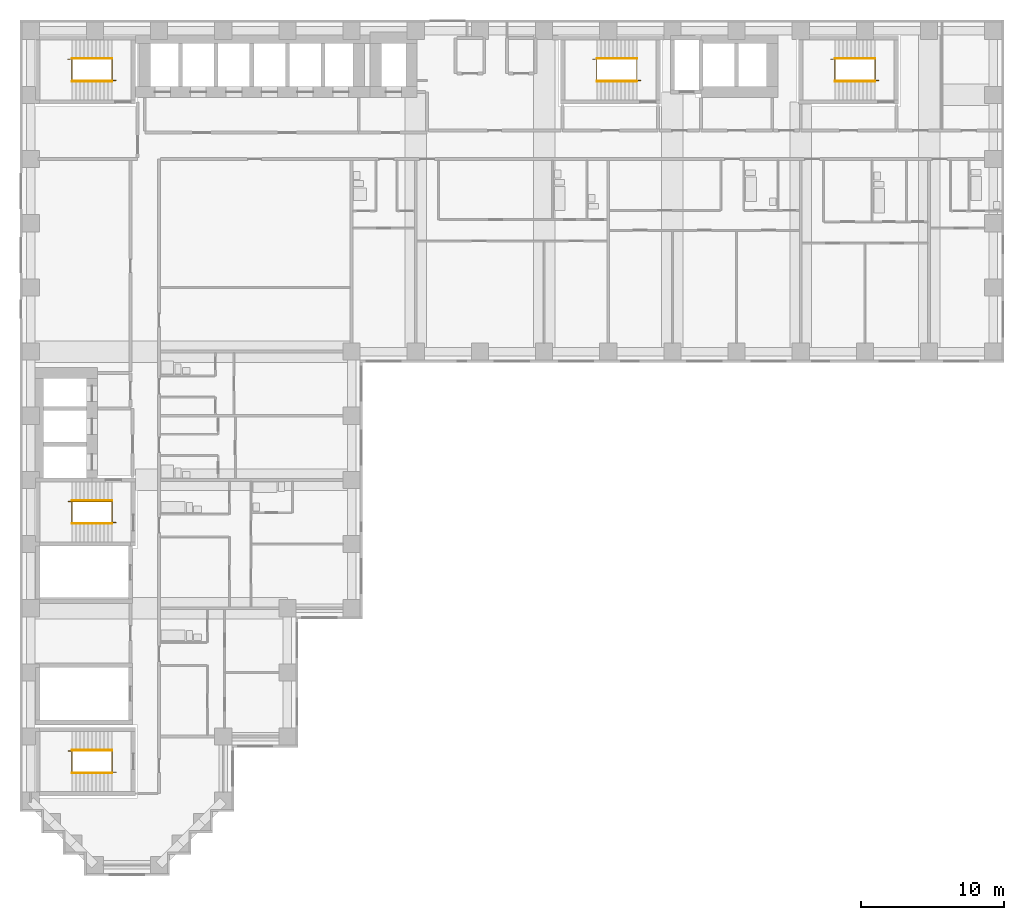
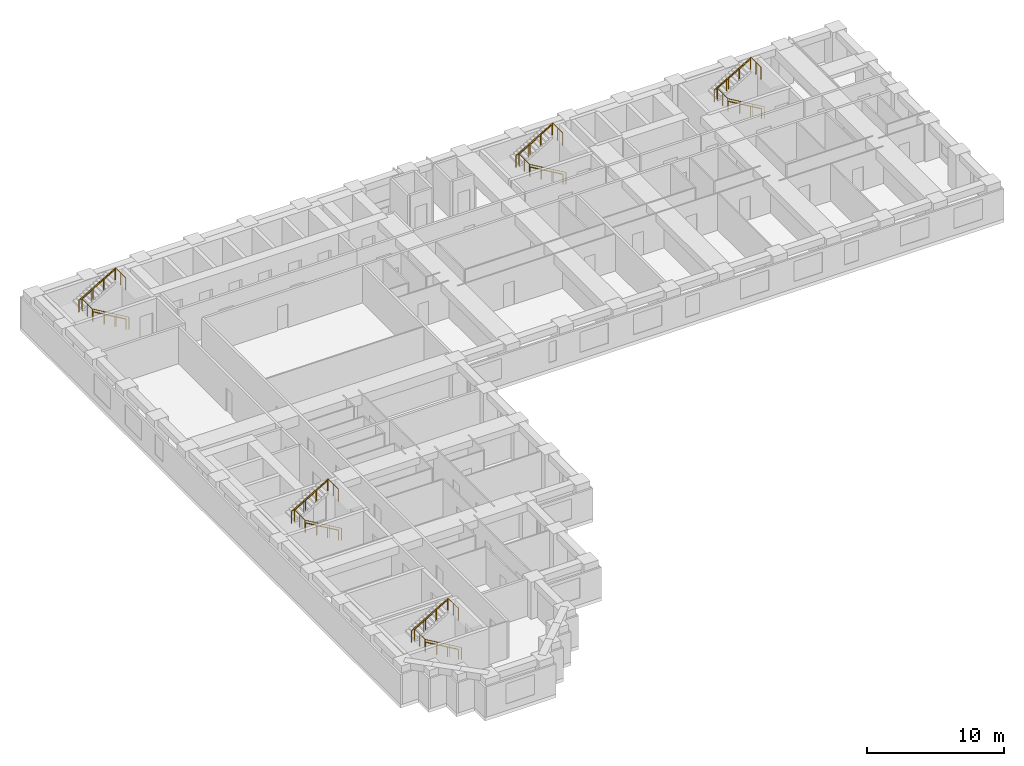
# One storey, part 10 of 11: 15 railings.
"""IFC4 building model written with IfcOpenShell, lengths in metres."""

from ifc_helpers import new_model, si_unit, direction, frame, origin, origin_2d, place, context, subcontext, project, spatial, circle, extrude, material, type_object, element, save


model = new_model("IFC4")

# Units and contexts
model_context = context("Model", 3, precision=1e-05, world=origin(), true_north=direction((0.0, 1.0)))
body_context = subcontext(model_context, "Body", "Model", "MODEL_VIEW")
ifc_project = project(units=[si_unit("LENGTHUNIT", "METRE"), si_unit("AREAUNIT", "SQUARE_METRE"), si_unit("VOLUMEUNIT", "CUBIC_METRE"), si_unit("PLANEANGLEUNIT", "RADIAN"), si_unit("MASSUNIT", "GRAM", prefix="KILO")], contexts=[model_context])

# Site, building, storey
site_placement = place(None, origin())
site = spatial("IfcSite", under=ifc_project, at=site_placement, CompositionType="ELEMENT")
building_placement = place(site_placement, origin())
building = spatial("IfcBuilding", under=site, at=building_placement, Name="Firuza Court", CompositionType="ELEMENT")
storey_placement = place(building_placement, frame((0.0, 0.0, 57.800048828125)))
storey = spatial("IfcBuildingStorey", under=building, at=storey_placement, Name="L13", CompositionType="ELEMENT", Elevation=57.800048828125)

# Railings
ifc_material_1 = material(Name="Steel S355", Category="steel")
railing_type_1 = type_object("IfcRailingType", Name="Handrail 900", PredefinedType="HANDRAIL", material=ifc_material_1)
railing_1_placement = place(storey_placement, frame((42.5, 54.949951171875, 0.16357421875)))
element("IfcRailing", 1, at=railing_1_placement, inside=storey, type_object=railing_type_1, Name="Handrail S1 flight 1", PredefinedType="HANDRAIL", context=body_context, shape_type="SweptSolid", body=[
    extrude(circle(Radius=0.02490234375, at=origin_2d()), frame((0.0, 0.0, 0.875), z_axis=(-0.863360870873, 0.0, 0.504586966384), x_axis=(0.0, -1.0, 0.0)), (0.0, 0.0, 1.0), 3.2431640625),
    extrude(circle(Radius=0.02001953125, at=origin_2d()), origin(), (0.0, 0.0, 1.0), 0.849853515625),
    extrude(circle(Radius=0.02001953125, at=origin_2d()), frame((-0.933349609375, 0.0, 0.54541015625)), (0.0, 0.0, 1.0), 0.849853515625),
    extrude(circle(Radius=0.02001953125, at=origin_2d()), frame((-1.86669921875, 0.0, 1.091064453125)), (0.0, 0.0, 1.0), 0.849853515625),
    extrude(circle(Radius=0.02001953125, at=origin_2d()), frame((-2.800048828125, 0.0, 1.636474609375)), (0.0, 0.0, 1.0), 0.849853515625),
])
railing_2_placement = place(storey_placement, frame((39.699951171875, 56.550048828125, 1.963623046875)))
element("IfcRailing", 2, at=railing_2_placement, inside=storey, type_object=railing_type_1, Name="Handrail S1 flight 2", PredefinedType="HANDRAIL", context=body_context, shape_type="SweptSolid", body=[
    extrude(circle(Radius=0.02490234375, at=origin_2d()), frame((0.0, 0.0, 0.875), z_axis=(0.863393664356, 0.0, 0.504530851732), x_axis=(0.0, 1.0, 0.0)), (0.0, 0.0, 1.0), 3.2431640625),
    extrude(circle(Radius=0.02001953125, at=origin_2d()), origin(), (0.0, 0.0, 1.0), 0.849853515625),
    extrude(circle(Radius=0.02001953125, at=origin_2d()), frame((0.933349609375, 0.0, 0.54541015625)), (0.0, 0.0, 1.0), 0.849853515625),
    extrude(circle(Radius=0.02001953125, at=origin_2d()), frame((1.86669921875, 0.0, 1.0908203125)), (0.0, 0.0, 1.0), 0.849853515625),
    extrude(circle(Radius=0.02001953125, at=origin_2d()), frame((2.800048828125, 0.0, 1.63623046875)), (0.0, 0.0, 1.0), 0.849853515625),
])
railing_3_placement = place(storey_placement, frame((5.699951171875, 23.949951171875, 0.16357421875)))
element("IfcRailing", 3, at=railing_3_placement, inside=storey, type_object=railing_type_1, Name="Handrail S2 flight 1", PredefinedType="HANDRAIL", context=body_context, shape_type="SweptSolid", body=[
    extrude(circle(Radius=0.02490234375, at=origin_2d()), frame((0.0, 0.0, 0.875), z_axis=(-0.863360870873, 0.0, 0.504586966384), x_axis=(0.0, -1.0, 0.0)), (0.0, 0.0, 1.0), 3.2431640625),
    extrude(circle(Radius=0.02001953125, at=origin_2d()), origin(), (0.0, 0.0, 1.0), 0.849853515625),
    extrude(circle(Radius=0.02001953125, at=origin_2d()), frame((-0.933349609375, 0.0, 0.54541015625)), (0.0, 0.0, 1.0), 0.849853515625),
    extrude(circle(Radius=0.02001953125, at=origin_2d()), frame((-1.86669921875, 0.0, 1.091064453125)), (0.0, 0.0, 1.0), 0.849853515625),
    extrude(circle(Radius=0.02001953125, at=origin_2d()), frame((-2.800048828125, 0.0, 1.636474609375)), (0.0, 0.0, 1.0), 0.849853515625),
])
railing_4_placement = place(storey_placement, frame((2.89990234375, 25.550048828125, 1.963623046875)))
element("IfcRailing", 4, at=railing_4_placement, inside=storey, type_object=railing_type_1, Name="Handrail S2 flight 2", PredefinedType="HANDRAIL", context=body_context, shape_type="SweptSolid", body=[
    extrude(circle(Radius=0.02490234375, at=origin_2d()), frame((0.0, 0.0, 0.875), z_axis=(0.863393664356, 0.0, 0.504530851732), x_axis=(0.0, 1.0, 0.0)), (0.0, 0.0, 1.0), 3.2431640625),
    extrude(circle(Radius=0.02001953125, at=origin_2d()), origin(), (0.0, 0.0, 1.0), 0.849853515625),
    extrude(circle(Radius=0.02001953125, at=origin_2d()), frame((0.933349609375, 0.0, 0.54541015625)), (0.0, 0.0, 1.0), 0.849853515625),
    extrude(circle(Radius=0.02001953125, at=origin_2d()), frame((1.86669921875, 0.0, 1.0908203125)), (0.0, 0.0, 1.0), 0.849853515625),
    extrude(circle(Radius=0.02001953125, at=origin_2d()), frame((2.800048828125, 0.0, 1.63623046875)), (0.0, 0.0, 1.0), 0.849853515625),
])
railing_5_placement = place(storey_placement, frame((5.699951171875, 54.949951171875, 0.16357421875)))
element("IfcRailing", 5, at=railing_5_placement, inside=storey, type_object=railing_type_1, Name="Handrail S3 flight 1", PredefinedType="HANDRAIL", context=body_context, shape_type="SweptSolid", body=[
    extrude(circle(Radius=0.02490234375, at=origin_2d()), frame((0.0, 0.0, 0.875), z_axis=(-0.863360870873, 0.0, 0.504586966384), x_axis=(0.0, -1.0, 0.0)), (0.0, 0.0, 1.0), 3.2431640625),
    extrude(circle(Radius=0.02001953125, at=origin_2d()), origin(), (0.0, 0.0, 1.0), 0.849853515625),
    extrude(circle(Radius=0.02001953125, at=origin_2d()), frame((-0.933349609375, 0.0, 0.54541015625)), (0.0, 0.0, 1.0), 0.849853515625),
    extrude(circle(Radius=0.02001953125, at=origin_2d()), frame((-1.86669921875, 0.0, 1.091064453125)), (0.0, 0.0, 1.0), 0.849853515625),
    extrude(circle(Radius=0.02001953125, at=origin_2d()), frame((-2.800048828125, 0.0, 1.636474609375)), (0.0, 0.0, 1.0), 0.849853515625),
])
railing_6_placement = place(storey_placement, frame((2.89990234375, 56.550048828125, 1.963623046875)))
element("IfcRailing", 6, at=railing_6_placement, inside=storey, type_object=railing_type_1, Name="Handrail S3 flight 2", PredefinedType="HANDRAIL", context=body_context, shape_type="SweptSolid", body=[
    extrude(circle(Radius=0.02490234375, at=origin_2d()), frame((0.0, 0.0, 0.875), z_axis=(0.863393664356, 0.0, 0.504530851732), x_axis=(0.0, 1.0, 0.0)), (0.0, 0.0, 1.0), 3.2431640625),
    extrude(circle(Radius=0.02001953125, at=origin_2d()), origin(), (0.0, 0.0, 1.0), 0.849853515625),
    extrude(circle(Radius=0.02001953125, at=origin_2d()), frame((0.933349609375, 0.0, 0.54541015625)), (0.0, 0.0, 1.0), 0.849853515625),
    extrude(circle(Radius=0.02001953125, at=origin_2d()), frame((1.86669921875, 0.0, 1.0908203125)), (0.0, 0.0, 1.0), 0.849853515625),
    extrude(circle(Radius=0.02001953125, at=origin_2d()), frame((2.800048828125, 0.0, 1.63623046875)), (0.0, 0.0, 1.0), 0.849853515625),
])
railing_7_placement = place(storey_placement, frame((59.199951171875, 54.949951171875, 0.16357421875)))
element("IfcRailing", 7, at=railing_7_placement, inside=storey, type_object=railing_type_1, Name="Handrail S4 flight 1", PredefinedType="HANDRAIL", context=body_context, shape_type="SweptSolid", body=[
    extrude(circle(Radius=0.02490234375, at=origin_2d()), frame((0.0, 0.0, 0.875), z_axis=(-0.863360870873, 0.0, 0.504586966384), x_axis=(0.0, -1.0, 0.0)), (0.0, 0.0, 1.0), 3.2431640625),
    extrude(circle(Radius=0.02001953125, at=origin_2d()), origin(), (0.0, 0.0, 1.0), 0.849853515625),
    extrude(circle(Radius=0.02001953125, at=origin_2d()), frame((-0.933349609375, 0.0, 0.54541015625)), (0.0, 0.0, 1.0), 0.849853515625),
    extrude(circle(Radius=0.02001953125, at=origin_2d()), frame((-1.86669921875, 0.0, 1.091064453125)), (0.0, 0.0, 1.0), 0.849853515625),
    extrude(circle(Radius=0.02001953125, at=origin_2d()), frame((-2.800048828125, 0.0, 1.636474609375)), (0.0, 0.0, 1.0), 0.849853515625),
])
railing_8_placement = place(storey_placement, frame((56.39990234375, 56.550048828125, 1.963623046875)))
element("IfcRailing", 8, at=railing_8_placement, inside=storey, type_object=railing_type_1, Name="Handrail S4 flight 2", PredefinedType="HANDRAIL", context=body_context, shape_type="SweptSolid", body=[
    extrude(circle(Radius=0.02490234375, at=origin_2d()), frame((0.0, 0.0, 0.875), z_axis=(0.863393664356, 0.0, 0.504530851732), x_axis=(0.0, 1.0, 0.0)), (0.0, 0.0, 1.0), 3.2431640625),
    extrude(circle(Radius=0.02001953125, at=origin_2d()), origin(), (0.0, 0.0, 1.0), 0.849853515625),
    extrude(circle(Radius=0.02001953125, at=origin_2d()), frame((0.933349609375, 0.0, 0.54541015625)), (0.0, 0.0, 1.0), 0.849853515625),
    extrude(circle(Radius=0.02001953125, at=origin_2d()), frame((1.86669921875, 0.0, 1.0908203125)), (0.0, 0.0, 1.0), 0.849853515625),
    extrude(circle(Radius=0.02001953125, at=origin_2d()), frame((2.800048828125, 0.0, 1.63623046875)), (0.0, 0.0, 1.0), 0.849853515625),
])
railing_9_placement = place(storey_placement, frame((5.699951171875, 6.449951171875, 0.16357421875)))
element("IfcRailing", 9, at=railing_9_placement, inside=storey, type_object=railing_type_1, Name="Handrail S5 flight 1", PredefinedType="HANDRAIL", context=body_context, shape_type="SweptSolid", body=[
    extrude(circle(Radius=0.02490234375, at=origin_2d()), frame((0.0, 0.0, 0.875), z_axis=(-0.863360870873, 0.0, 0.504586966384), x_axis=(0.0, -1.0, 0.0)), (0.0, 0.0, 1.0), 3.2431640625),
    extrude(circle(Radius=0.02001953125, at=origin_2d()), origin(), (0.0, 0.0, 1.0), 0.849853515625),
    extrude(circle(Radius=0.02001953125, at=origin_2d()), frame((-0.933349609375, 0.0, 0.54541015625)), (0.0, 0.0, 1.0), 0.849853515625),
    extrude(circle(Radius=0.02001953125, at=origin_2d()), frame((-1.86669921875, 0.0, 1.091064453125)), (0.0, 0.0, 1.0), 0.849853515625),
    extrude(circle(Radius=0.02001953125, at=origin_2d()), frame((-2.800048828125, 0.0, 1.636474609375)), (0.0, 0.0, 1.0), 0.849853515625),
])
railing_10_placement = place(storey_placement, frame((2.89990234375, 8.050048828125, 1.963623046875)))
element("IfcRailing", 10, at=railing_10_placement, inside=storey, type_object=railing_type_1, Name="Handrail S5 flight 2", PredefinedType="HANDRAIL", context=body_context, shape_type="SweptSolid", body=[
    extrude(circle(Radius=0.02490234375, at=origin_2d()), frame((0.0, 0.0, 0.875), z_axis=(0.863393664356, 0.0, 0.504530851732), x_axis=(0.0, 1.0, 0.0)), (0.0, 0.0, 1.0), 3.2431640625),
    extrude(circle(Radius=0.02001953125, at=origin_2d()), origin(), (0.0, 0.0, 1.0), 0.849853515625),
    extrude(circle(Radius=0.02001953125, at=origin_2d()), frame((0.933349609375, 0.0, 0.54541015625)), (0.0, 0.0, 1.0), 0.849853515625),
    extrude(circle(Radius=0.02001953125, at=origin_2d()), frame((1.86669921875, 0.0, 1.0908203125)), (0.0, 0.0, 1.0), 0.849853515625),
    extrude(circle(Radius=0.02001953125, at=origin_2d()), frame((2.800048828125, 0.0, 1.63623046875)), (0.0, 0.0, 1.0), 0.849853515625),
])
ifc_material_2 = material(Name="Steel S355", Category="steel")
railing_type_2 = type_object("IfcRailingType", Name="Stair guard 1100", PredefinedType="GUARDRAIL", material=ifc_material_2)
railing_11_placement = place(storey_placement, frame((42.780029296875, 55.010009765625, 0.0)))
element("IfcRailing", 11, at=railing_11_placement, inside=storey, type_object=railing_type_2, Name="Stair well guard S1", PredefinedType="GUARDRAIL", context=body_context, shape_type="SweptSolid", body=[
    extrude(circle(Radius=0.02490234375, at=origin_2d()), frame((0.0, 0.0, 1.0751953125), z_axis=(-0.863371556955, 0.0, 0.504568681787), x_axis=(0.0, -1.0, 0.0)), (0.0, 0.0, 1.0), 3.5673828125),
    extrude(circle(Radius=0.02490234375, at=origin_2d()), frame((-3.080078125, 0.0, 2.875), z_axis=(0.0, 1.0, 0.0), x_axis=(-1.0, 0.0, 0.0)), (0.0, 0.0, 1.0), 1.47998046875),
    extrude(circle(Radius=0.02490234375, at=origin_2d()), frame((-3.080078125, 1.47998046875, 2.875), z_axis=(-1.0, 0.0, 0.0), x_axis=(0.0, -1.0, 0.0)), (0.0, 0.0, 1.0), 0.280029296875),
    extrude(circle(Radius=0.02490234375, at=origin_2d()), frame((-3.360107421875, 1.47998046875, 2.875), z_axis=(0.863401368682, 0.0, 0.504517667242), x_axis=(0.0, 1.0, 0.0)), (0.0, 0.0, 1.0), 3.5673828125),
    extrude(circle(Radius=0.02490234375, at=origin_2d()), frame((-0.280029296875, 1.47998046875, 4.6748046875), z_axis=(0.0, -1.0, 0.0), x_axis=(1.0, 0.0, 0.0)), (0.0, 0.0, 1.0), 1.47998046875),
    extrude(circle(Radius=0.02490234375, at=origin_2d()), origin(), (0.0, 0.0, 1.0), 1.050048828125),
    extrude(circle(Radius=0.02490234375, at=origin_2d()), frame((-1.026611328125, 0.0, 0.60009765625)), (0.0, 0.0, 1.0), 1.050048828125),
    extrude(circle(Radius=0.02490234375, at=origin_2d()), frame((-2.053466796875, 0.0, 1.199951171875)), (0.0, 0.0, 1.0), 1.050048828125),
    extrude(circle(Radius=0.02490234375, at=origin_2d()), frame((-3.080078125, 0.0, 1.800048828125)), (0.0, 0.0, 1.0), 1.050048828125),
    extrude(circle(Radius=0.02490234375, at=origin_2d()), frame((-3.080078125, 0.739990234375, 1.800048828125)), (0.0, 0.0, 1.0), 1.050048828125),
    extrude(circle(Radius=0.02490234375, at=origin_2d()), frame((-3.080078125, 1.47998046875, 1.800048828125)), (0.0, 0.0, 1.0), 1.050048828125),
    extrude(circle(Radius=0.02490234375, at=origin_2d()), frame((-3.360107421875, 1.47998046875, 1.800048828125)), (0.0, 0.0, 1.0), 1.050048828125),
    extrude(circle(Radius=0.02490234375, at=origin_2d()), frame((-2.33349609375, 1.47998046875, 2.39990234375)), (0.0, 0.0, 1.0), 1.050048828125),
    extrude(circle(Radius=0.02490234375, at=origin_2d()), frame((-1.306640625, 1.47998046875, 3.0)), (0.0, 0.0, 1.0), 1.050048828125),
    extrude(circle(Radius=0.02490234375, at=origin_2d()), frame((-0.280029296875, 1.47998046875, 3.599853515625)), (0.0, 0.0, 1.0), 1.050048828125),
    extrude(circle(Radius=0.02490234375, at=origin_2d()), frame((-0.280029296875, 0.739990234375, 3.599853515625)), (0.0, 0.0, 1.0), 1.050048828125),
    extrude(circle(Radius=0.02490234375, at=origin_2d()), frame((-0.280029296875, 0.0, 3.599853515625)), (0.0, 0.0, 1.0), 1.050048828125),
])
railing_12_placement = place(storey_placement, frame((5.97998046875, 24.010009765625, 0.0)))
element("IfcRailing", 12, at=railing_12_placement, inside=storey, type_object=railing_type_2, Name="Stair well guard S2", PredefinedType="GUARDRAIL", context=body_context, shape_type="SweptSolid", body=[
    extrude(circle(Radius=0.02490234375, at=origin_2d()), frame((0.0, 0.0, 1.0751953125), z_axis=(-0.863371556955, 0.0, 0.504568681787), x_axis=(0.0, -1.0, 0.0)), (0.0, 0.0, 1.0), 3.5673828125),
    extrude(circle(Radius=0.02490234375, at=origin_2d()), frame((-3.080078125, 0.0, 2.875), z_axis=(0.0, 1.0, 0.0), x_axis=(-1.0, 0.0, 0.0)), (0.0, 0.0, 1.0), 1.47998046875),
    extrude(circle(Radius=0.02490234375, at=origin_2d()), frame((-3.080078125, 1.47998046875, 2.875), z_axis=(-1.0, 0.0, 0.0), x_axis=(0.0, -1.0, 0.0)), (0.0, 0.0, 1.0), 0.27978515625),
    extrude(circle(Radius=0.02490234375, at=origin_2d()), frame((-3.35986328125, 1.47998046875, 2.875), z_axis=(0.863383947312, 0.0, 0.504547479951), x_axis=(0.0, 1.0, 0.0)), (0.0, 0.0, 1.0), 3.567138671875),
    extrude(circle(Radius=0.02490234375, at=origin_2d()), frame((-0.280029296875, 1.47998046875, 4.6748046875), z_axis=(0.0, -1.0, 0.0), x_axis=(1.0, 0.0, 0.0)), (0.0, 0.0, 1.0), 1.47998046875),
    extrude(circle(Radius=0.02490234375, at=origin_2d()), origin(), (0.0, 0.0, 1.0), 1.050048828125),
    extrude(circle(Radius=0.02490234375, at=origin_2d()), frame((-1.026611328125, 0.0, 0.60009765625)), (0.0, 0.0, 1.0), 1.050048828125),
    extrude(circle(Radius=0.02490234375, at=origin_2d()), frame((-2.053466796875, 0.0, 1.199951171875)), (0.0, 0.0, 1.0), 1.050048828125),
    extrude(circle(Radius=0.02490234375, at=origin_2d()), frame((-3.080078125, 0.0, 1.800048828125)), (0.0, 0.0, 1.0), 1.050048828125),
    extrude(circle(Radius=0.02490234375, at=origin_2d()), frame((-3.080078125, 0.739990234375, 1.800048828125)), (0.0, 0.0, 1.0), 1.050048828125),
    extrude(circle(Radius=0.02490234375, at=origin_2d()), frame((-3.080078125, 1.47998046875, 1.800048828125)), (0.0, 0.0, 1.0), 1.050048828125),
    extrude(circle(Radius=0.02490234375, at=origin_2d()), frame((-3.35986328125, 1.47998046875, 1.800048828125)), (0.0, 0.0, 1.0), 1.050048828125),
    extrude(circle(Radius=0.02490234375, at=origin_2d()), frame((-2.333251953125, 1.47998046875, 2.39990234375)), (0.0, 0.0, 1.0), 1.050048828125),
    extrude(circle(Radius=0.02490234375, at=origin_2d()), frame((-1.306640625, 1.47998046875, 3.0)), (0.0, 0.0, 1.0), 1.050048828125),
    extrude(circle(Radius=0.02490234375, at=origin_2d()), frame((-0.280029296875, 1.47998046875, 3.599853515625)), (0.0, 0.0, 1.0), 1.050048828125),
    extrude(circle(Radius=0.02490234375, at=origin_2d()), frame((-0.280029296875, 0.739990234375, 3.599853515625)), (0.0, 0.0, 1.0), 1.050048828125),
    extrude(circle(Radius=0.02490234375, at=origin_2d()), frame((-0.280029296875, 0.0, 3.599853515625)), (0.0, 0.0, 1.0), 1.050048828125),
])
railing_13_placement = place(storey_placement, frame((5.97998046875, 55.010009765625, 0.0)))
element("IfcRailing", 13, at=railing_13_placement, inside=storey, type_object=railing_type_2, Name="Stair well guard S3", PredefinedType="GUARDRAIL", context=body_context, shape_type="SweptSolid", body=[
    extrude(circle(Radius=0.02490234375, at=origin_2d()), frame((0.0, 0.0, 1.0751953125), z_axis=(-0.863371556955, 0.0, 0.504568681787), x_axis=(0.0, -1.0, 0.0)), (0.0, 0.0, 1.0), 3.5673828125),
    extrude(circle(Radius=0.02490234375, at=origin_2d()), frame((-3.080078125, 0.0, 2.875), z_axis=(0.0, 1.0, 0.0), x_axis=(-1.0, 0.0, 0.0)), (0.0, 0.0, 1.0), 1.47998046875),
    extrude(circle(Radius=0.02490234375, at=origin_2d()), frame((-3.080078125, 1.47998046875, 2.875), z_axis=(-1.0, 0.0, 0.0), x_axis=(0.0, -1.0, 0.0)), (0.0, 0.0, 1.0), 0.27978515625),
    extrude(circle(Radius=0.02490234375, at=origin_2d()), frame((-3.35986328125, 1.47998046875, 2.875), z_axis=(0.863383947312, 0.0, 0.504547479951), x_axis=(0.0, 1.0, 0.0)), (0.0, 0.0, 1.0), 3.567138671875),
    extrude(circle(Radius=0.02490234375, at=origin_2d()), frame((-0.280029296875, 1.47998046875, 4.6748046875), z_axis=(0.0, -1.0, 0.0), x_axis=(1.0, 0.0, 0.0)), (0.0, 0.0, 1.0), 1.47998046875),
    extrude(circle(Radius=0.02490234375, at=origin_2d()), origin(), (0.0, 0.0, 1.0), 1.050048828125),
    extrude(circle(Radius=0.02490234375, at=origin_2d()), frame((-1.026611328125, 0.0, 0.60009765625)), (0.0, 0.0, 1.0), 1.050048828125),
    extrude(circle(Radius=0.02490234375, at=origin_2d()), frame((-2.053466796875, 0.0, 1.199951171875)), (0.0, 0.0, 1.0), 1.050048828125),
    extrude(circle(Radius=0.02490234375, at=origin_2d()), frame((-3.080078125, 0.0, 1.800048828125)), (0.0, 0.0, 1.0), 1.050048828125),
    extrude(circle(Radius=0.02490234375, at=origin_2d()), frame((-3.080078125, 0.739990234375, 1.800048828125)), (0.0, 0.0, 1.0), 1.050048828125),
    extrude(circle(Radius=0.02490234375, at=origin_2d()), frame((-3.080078125, 1.47998046875, 1.800048828125)), (0.0, 0.0, 1.0), 1.050048828125),
    extrude(circle(Radius=0.02490234375, at=origin_2d()), frame((-3.35986328125, 1.47998046875, 1.800048828125)), (0.0, 0.0, 1.0), 1.050048828125),
    extrude(circle(Radius=0.02490234375, at=origin_2d()), frame((-2.333251953125, 1.47998046875, 2.39990234375)), (0.0, 0.0, 1.0), 1.050048828125),
    extrude(circle(Radius=0.02490234375, at=origin_2d()), frame((-1.306640625, 1.47998046875, 3.0)), (0.0, 0.0, 1.0), 1.050048828125),
    extrude(circle(Radius=0.02490234375, at=origin_2d()), frame((-0.280029296875, 1.47998046875, 3.599853515625)), (0.0, 0.0, 1.0), 1.050048828125),
    extrude(circle(Radius=0.02490234375, at=origin_2d()), frame((-0.280029296875, 0.739990234375, 3.599853515625)), (0.0, 0.0, 1.0), 1.050048828125),
    extrude(circle(Radius=0.02490234375, at=origin_2d()), frame((-0.280029296875, 0.0, 3.599853515625)), (0.0, 0.0, 1.0), 1.050048828125),
])
railing_14_placement = place(storey_placement, frame((59.47998046875, 55.010009765625, 0.0)))
element("IfcRailing", 14, at=railing_14_placement, inside=storey, type_object=railing_type_2, Name="Stair well guard S4", PredefinedType="GUARDRAIL", context=body_context, shape_type="SweptSolid", body=[
    extrude(circle(Radius=0.02490234375, at=origin_2d()), frame((0.0, 0.0, 1.0751953125), z_axis=(-0.863371556955, 0.0, 0.504568681787), x_axis=(0.0, -1.0, 0.0)), (0.0, 0.0, 1.0), 3.5673828125),
    extrude(circle(Radius=0.02490234375, at=origin_2d()), frame((-3.080078125, 0.0, 2.875), z_axis=(0.0, 1.0, 0.0), x_axis=(-1.0, 0.0, 0.0)), (0.0, 0.0, 1.0), 1.47998046875),
    extrude(circle(Radius=0.02490234375, at=origin_2d()), frame((-3.080078125, 1.47998046875, 2.875), z_axis=(-1.0, 0.0, 0.0), x_axis=(0.0, -1.0, 0.0)), (0.0, 0.0, 1.0), 0.27978515625),
    extrude(circle(Radius=0.02490234375, at=origin_2d()), frame((-3.35986328125, 1.47998046875, 2.875), z_axis=(0.863383947312, 0.0, 0.504547479951), x_axis=(0.0, 1.0, 0.0)), (0.0, 0.0, 1.0), 3.567138671875),
    extrude(circle(Radius=0.02490234375, at=origin_2d()), frame((-0.280029296875, 1.47998046875, 4.6748046875), z_axis=(0.0, -1.0, 0.0), x_axis=(1.0, 0.0, 0.0)), (0.0, 0.0, 1.0), 1.47998046875),
    extrude(circle(Radius=0.02490234375, at=origin_2d()), origin(), (0.0, 0.0, 1.0), 1.050048828125),
    extrude(circle(Radius=0.02490234375, at=origin_2d()), frame((-1.026611328125, 0.0, 0.60009765625)), (0.0, 0.0, 1.0), 1.050048828125),
    extrude(circle(Radius=0.02490234375, at=origin_2d()), frame((-2.053466796875, 0.0, 1.199951171875)), (0.0, 0.0, 1.0), 1.050048828125),
    extrude(circle(Radius=0.02490234375, at=origin_2d()), frame((-3.080078125, 0.0, 1.800048828125)), (0.0, 0.0, 1.0), 1.050048828125),
    extrude(circle(Radius=0.02490234375, at=origin_2d()), frame((-3.080078125, 0.739990234375, 1.800048828125)), (0.0, 0.0, 1.0), 1.050048828125),
    extrude(circle(Radius=0.02490234375, at=origin_2d()), frame((-3.080078125, 1.47998046875, 1.800048828125)), (0.0, 0.0, 1.0), 1.050048828125),
    extrude(circle(Radius=0.02490234375, at=origin_2d()), frame((-3.35986328125, 1.47998046875, 1.800048828125)), (0.0, 0.0, 1.0), 1.050048828125),
    extrude(circle(Radius=0.02490234375, at=origin_2d()), frame((-2.333251953125, 1.47998046875, 2.39990234375)), (0.0, 0.0, 1.0), 1.050048828125),
    extrude(circle(Radius=0.02490234375, at=origin_2d()), frame((-1.306640625, 1.47998046875, 3.0)), (0.0, 0.0, 1.0), 1.050048828125),
    extrude(circle(Radius=0.02490234375, at=origin_2d()), frame((-0.280029296875, 1.47998046875, 3.599853515625)), (0.0, 0.0, 1.0), 1.050048828125),
    extrude(circle(Radius=0.02490234375, at=origin_2d()), frame((-0.280029296875, 0.739990234375, 3.599853515625)), (0.0, 0.0, 1.0), 1.050048828125),
    extrude(circle(Radius=0.02490234375, at=origin_2d()), frame((-0.280029296875, 0.0, 3.599853515625)), (0.0, 0.0, 1.0), 1.050048828125),
])
railing_15_placement = place(storey_placement, frame((5.97998046875, 6.510009765625, 0.0)))
element("IfcRailing", 15, at=railing_15_placement, inside=storey, type_object=railing_type_2, Name="Stair well guard S5", PredefinedType="GUARDRAIL", context=body_context, shape_type="SweptSolid", body=[
    extrude(circle(Radius=0.02490234375, at=origin_2d()), frame((0.0, 0.0, 1.0751953125), z_axis=(-0.863371556955, 0.0, 0.504568681787), x_axis=(0.0, -1.0, 0.0)), (0.0, 0.0, 1.0), 3.5673828125),
    extrude(circle(Radius=0.02490234375, at=origin_2d()), frame((-3.080078125, 0.0, 2.875), z_axis=(0.0, 1.0, 0.0), x_axis=(-1.0, 0.0, 0.0)), (0.0, 0.0, 1.0), 1.47998046875),
    extrude(circle(Radius=0.02490234375, at=origin_2d()), frame((-3.080078125, 1.47998046875, 2.875), z_axis=(-1.0, 0.0, 0.0), x_axis=(0.0, -1.0, 0.0)), (0.0, 0.0, 1.0), 0.27978515625),
    extrude(circle(Radius=0.02490234375, at=origin_2d()), frame((-3.35986328125, 1.47998046875, 2.875), z_axis=(0.863383947312, 0.0, 0.504547479951), x_axis=(0.0, 1.0, 0.0)), (0.0, 0.0, 1.0), 3.567138671875),
    extrude(circle(Radius=0.02490234375, at=origin_2d()), frame((-0.280029296875, 1.47998046875, 4.6748046875), z_axis=(0.0, -1.0, 0.0), x_axis=(1.0, 0.0, 0.0)), (0.0, 0.0, 1.0), 1.47998046875),
    extrude(circle(Radius=0.02490234375, at=origin_2d()), origin(), (0.0, 0.0, 1.0), 1.050048828125),
    extrude(circle(Radius=0.02490234375, at=origin_2d()), frame((-1.026611328125, 0.0, 0.60009765625)), (0.0, 0.0, 1.0), 1.050048828125),
    extrude(circle(Radius=0.02490234375, at=origin_2d()), frame((-2.053466796875, 0.0, 1.199951171875)), (0.0, 0.0, 1.0), 1.050048828125),
    extrude(circle(Radius=0.02490234375, at=origin_2d()), frame((-3.080078125, 0.0, 1.800048828125)), (0.0, 0.0, 1.0), 1.050048828125),
    extrude(circle(Radius=0.02490234375, at=origin_2d()), frame((-3.080078125, 0.739990234375, 1.800048828125)), (0.0, 0.0, 1.0), 1.050048828125),
    extrude(circle(Radius=0.02490234375, at=origin_2d()), frame((-3.080078125, 1.47998046875, 1.800048828125)), (0.0, 0.0, 1.0), 1.050048828125),
    extrude(circle(Radius=0.02490234375, at=origin_2d()), frame((-3.35986328125, 1.47998046875, 1.800048828125)), (0.0, 0.0, 1.0), 1.050048828125),
    extrude(circle(Radius=0.02490234375, at=origin_2d()), frame((-2.333251953125, 1.47998046875, 2.39990234375)), (0.0, 0.0, 1.0), 1.050048828125),
    extrude(circle(Radius=0.02490234375, at=origin_2d()), frame((-1.306640625, 1.47998046875, 3.0)), (0.0, 0.0, 1.0), 1.050048828125),
    extrude(circle(Radius=0.02490234375, at=origin_2d()), frame((-0.280029296875, 1.47998046875, 3.599853515625)), (0.0, 0.0, 1.0), 1.050048828125),
    extrude(circle(Radius=0.02490234375, at=origin_2d()), frame((-0.280029296875, 0.739990234375, 3.599853515625)), (0.0, 0.0, 1.0), 1.050048828125),
    extrude(circle(Radius=0.02490234375, at=origin_2d()), frame((-0.280029296875, 0.0, 3.599853515625)), (0.0, 0.0, 1.0), 1.050048828125),
])

save(model, "model.ifc")
